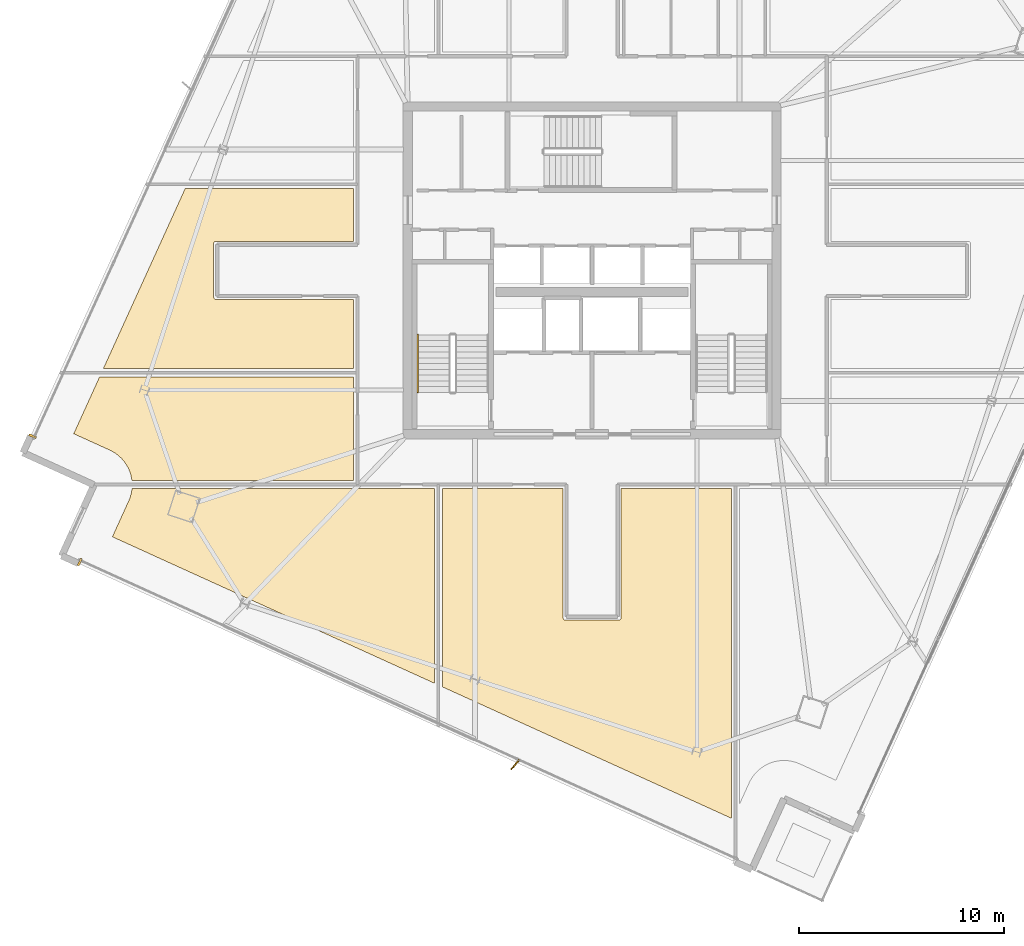
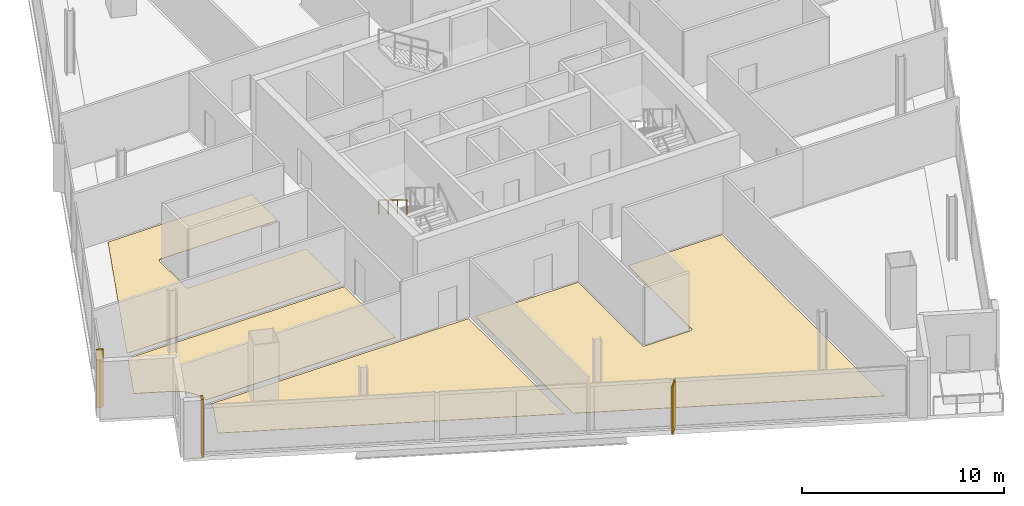
# One storey, part 22 of 26: 6 coverings, 1 railing, 1 shading device.
"""IFC4 building model written with IfcOpenShell, lengths in metres."""

from ifc_helpers import new_model, si_unit, direction, frame, origin, origin_2d, place, context, subcontext, project, spatial, polyline, rectangle, outline, extrude, source, transform, mapped, material, layer, layer_set, type_object, element, save


model = new_model("IFC4")

# Units and contexts
model_context = context("Model", 3, precision=1e-05, world=origin(), true_north=direction((0.0, 1.0)))
body_context = subcontext(model_context, "Body", "Model", "MODEL_VIEW")
ifc_project = project(units=[si_unit("LENGTHUNIT", "METRE"), si_unit("AREAUNIT", "SQUARE_METRE"), si_unit("VOLUMEUNIT", "CUBIC_METRE"), si_unit("PLANEANGLEUNIT", "RADIAN"), si_unit("MASSUNIT", "GRAM", prefix="KILO")], contexts=[model_context])

# Site, building, storey
site_placement = place(None, origin())
site = spatial("IfcSite", under=ifc_project, at=site_placement, CompositionType="ELEMENT")
building_placement = place(site_placement, origin())
building = spatial("IfcBuilding", under=site, at=building_placement, Name="Haldenkirk Collegiate Tower", CompositionType="ELEMENT")
storey_placement = place(building_placement, frame((0.0, 0.0, 248.699951171875)))
storey = spatial("IfcBuildingStorey", under=building, at=storey_placement, Name="L62", CompositionType="ELEMENT", Elevation=248.699951171875)

# Coverings
ifc_material_1 = material(Name="Polished collegiate terrazzo", Category="concrete")
ifc_layer_1 = layer(ifc_material_1, 0.02490234375)
ifc_layer_set_1 = layer_set([ifc_layer_1], Name="Polished collegiate terrazzo")
covering_type_1 = type_object("IfcCoveringType", Name="COV-FLOOR-TERRAZZO", PredefinedType="FLOORING", material=ifc_layer_set_1)
covering_1_placement = place(storey_placement, origin())
element("IfcCovering", 1, at=covering_1_placement, inside=storey, type_object=covering_type_1, Name="L62 academic room finish 02", PredefinedType="FLOORING", context=body_context, shape_type="SweptSolid", body=[
    extrude(outline(polyline([(28.699951171875, 5.668212890625), (28.699951171875, 15.35009765625), (34.580078125, 15.35009765625), (34.580078125, 9.050048828125), (34.58056640625, 9.0380859375), (34.582275390625, 9.026611328125), (34.585205078125, 9.01513671875), (34.589111328125, 9.004150390625), (34.59423828125, 8.993408203125), (34.60009765625, 8.9833984375), (34.607177734375, 8.973876953125), (34.614990234375, 8.965087890625), (34.623779296875, 8.957275390625), (34.63330078125, 8.9501953125), (34.643310546875, 8.944091796875), (34.654052734375, 8.939208984375), (34.665283203125, 8.935302734375), (34.676513671875, 8.932373046875), (34.688232421875, 8.9306640625), (34.699951171875, 8.929931640625), (37.300048828125, 8.929931640625), (37.311767578125, 8.9306640625), (37.323486328125, 8.932373046875), (37.334716796875, 8.935302734375), (37.345947265625, 8.939208984375), (37.356689453125, 8.944091796875), (37.36669921875, 8.9501953125), (37.376220703125, 8.957275390625), (37.385009765625, 8.965087890625), (37.392822265625, 8.973876953125), (37.39990234375, 8.9833984375), (37.40576171875, 8.993408203125), (37.410888671875, 9.004150390625), (37.414794921875, 9.01513671875), (37.417724609375, 9.026611328125), (37.41943359375, 9.0380859375), (37.419921875, 9.050048828125), (37.419921875, 15.35009765625), (42.800048828125, 15.35009765625), (42.800048828125, -0.74267578125), (28.699951171875, 5.668212890625)])), origin(), (0.0, 0.0, 1.0), 0.025146484375),
])
covering_2_placement = place(storey_placement, origin())
element("IfcCovering", 2, at=covering_2_placement, inside=storey, type_object=covering_type_1, Name="L62 academic room finish 06", PredefinedType="FLOORING", context=body_context, shape_type="SweptSolid", body=[
    extrude(outline(polyline([(13.530029296875, 15.821533203125), (13.528076171875, 15.8330078125), (13.4921875, 16.0009765625), (13.489013671875, 16.012451171875), (13.436767578125, 16.176025390625), (13.4326171875, 16.18701171875), (13.364501953125, 16.3447265625), (13.359375, 16.355224609375), (13.276123046875, 16.50537109375), (13.27001953125, 16.515380859375), (13.17236328125, 16.65673828125), (13.165283203125, 16.666015625), (13.05419921875, 16.797119140625), (13.046142578125, 16.805908203125), (12.923095703125, 16.92529296875), (12.9140625, 16.93310546875), (12.77978515625, 17.0400390625), (12.770263671875, 17.047119140625), (12.6259765625, 17.140380859375), (12.61572265625, 17.146240234375), (12.463134765625, 17.224853515625), (12.457763671875, 17.227294921875), (10.700927734375, 18.026123046875), (11.962158203125, 20.800048828125), (24.35009765625, 20.800048828125), (24.35009765625, 15.75), (13.5380859375, 15.75), (13.530029296875, 15.821533203125)])), origin(), (0.0, 0.0, 1.0), 0.025146484375),
])
ifc_material_2 = material(Name="Engineered collegiate oak acoustic flooring", Category="wood")
ifc_layer_2 = layer(ifc_material_2, 0.02197265625)
ifc_layer_set_2 = layer_set([ifc_layer_2], Name="Engineered collegiate oak acoustic flooring")
covering_type_2 = type_object("IfcCoveringType", Name="COV-FLOOR-TIMBER", PredefinedType="FLOORING", material=ifc_layer_set_2)
covering_3_placement = place(storey_placement, origin())
element("IfcCovering", 3, at=covering_3_placement, inside=storey, type_object=covering_type_2, Name="L62 academic room finish 01", PredefinedType="FLOORING", context=body_context, shape_type="SweptSolid", body=[
    extrude(outline(polyline([(12.58740234375, 12.994140625), (13.385986328125, 14.751220703125), (13.388427734375, 14.756591796875), (13.45166015625, 14.916259765625), (13.45556640625, 14.92724609375), (13.5029296875, 15.09228515625), (13.505615234375, 15.10400390625), (13.53662109375, 15.272705078125), (13.5380859375, 15.284423828125), (13.543701171875, 15.35009765625), (28.300048828125, 15.35009765625), (28.300048828125, 5.85009765625), (12.58740234375, 12.994140625)])), origin(), (0.0, 0.0, 1.0), 0.02197265625),
])
covering_4_placement = place(storey_placement, origin())
element("IfcCovering", 4, at=covering_4_placement, inside=storey, type_object=covering_type_2, Name="L62 academic room finish 07", PredefinedType="FLOORING", context=body_context, shape_type="SweptSolid", body=[
    extrude(outline(polyline([(16.14501953125, 30.0), (24.35009765625, 30.0), (24.35009765625, 27.419921875), (17.64990234375, 27.419921875), (17.63818359375, 27.41943359375), (17.626708984375, 27.417724609375), (17.615234375, 27.414794921875), (17.60400390625, 27.410888671875), (17.593505859375, 27.40576171875), (17.583251953125, 27.39990234375), (17.573974609375, 27.392822265625), (17.565185546875, 27.385009765625), (17.55712890625, 27.376220703125), (17.55029296875, 27.36669921875), (17.544189453125, 27.356689453125), (17.5390625, 27.345947265625), (17.53515625, 27.334716796875), (17.5322265625, 27.323486328125), (17.530517578125, 27.311767578125), (17.530029296875, 27.300048828125), (17.530029296875, 24.699951171875), (17.530517578125, 24.688232421875), (17.5322265625, 24.676513671875), (17.53515625, 24.665283203125), (17.5390625, 24.654052734375), (17.544189453125, 24.643310546875), (17.55029296875, 24.63330078125), (17.55712890625, 24.623779296875), (17.565185546875, 24.614990234375), (17.573974609375, 24.607177734375), (17.583251953125, 24.60009765625), (17.593505859375, 24.59423828125), (17.60400390625, 24.589111328125), (17.615234375, 24.585205078125), (17.626708984375, 24.582275390625), (17.63818359375, 24.58056640625), (17.64990234375, 24.580078125), (24.35009765625, 24.580078125), (24.35009765625, 21.199951171875), (12.143798828125, 21.199951171875), (16.14501953125, 30.0)])), origin(), (0.0, 0.0, 1.0), 0.02197265625),
])

# Railing
ifc_material_3 = material(Name="Painted architectural tubular steel", Category="steel")
railing_type = type_object("IfcRailingType", Name="RLG-STAIR-HANDRAIL-900", PredefinedType="HANDRAIL", material=ifc_material_3)
railing_placement = place(storey_placement, frame((27.5, 22.85009765625, 2.04541015625)))
element("IfcRailing", 5, at=railing_placement, inside=storey, type_object=railing_type, Name="L62 ST-1 stair handrail 2", PredefinedType="HANDRAIL", context=body_context, shape_type="SweptSolid", body=[
    extrude(rectangle(XDim=0.048095703125, YDim=0.048095703125, at=origin_2d()), frame((0.0, 0.0, 0.8759765625), z_axis=(0.0, -0.854169791009, 0.51999420009), x_axis=(1.0, 0.0, 0.0)), (0.0, 0.0, 1.0), 3.278076171875),
    extrude(rectangle(XDim=0.0419921875, YDim=0.0419921875, at=origin_2d()), origin(), (0.0, 0.0, 1.0), 0.851806640625),
    extrude(rectangle(XDim=0.0419921875, YDim=0.0419921875, at=origin_2d()), frame((0.0, -0.933349609375, 0.568115234375)), (0.0, 0.0, 1.0), 0.851806640625),
    extrude(rectangle(XDim=0.0419921875, YDim=0.0419921875, at=origin_2d()), frame((0.0, -1.86669921875, 1.136474609375)), (0.0, 0.0, 1.0), 0.851806640625),
    extrude(rectangle(XDim=0.0419921875, YDim=0.0419921875, at=origin_2d()), frame((0.0, -2.800048828125, 1.70458984375)), (0.0, 0.0, 1.0), 0.851806640625),
])

# Coverings
ifc_material_4 = material(Name="Anodised architectural bronze aluminium", Category="aluminium")
ifc_layer_3 = layer(ifc_material_4, 0.06005859375)
ifc_layer_set_3 = layer_set([ifc_layer_3], Name="Anodised architectural bronze aluminium")
covering_type_3 = type_object("IfcCoveringType", Name="COV-CLAD-BRONZE-60", PredefinedType="CLADDING", material=ifc_layer_set_3)
shared_shape_1 = source(origin(), body_context, "Body", "SweptSolid", [
    extrude(rectangle(XDim=0.10009765625, YDim=0.3798828125, at=origin_2d()), origin(), (0.0, 0.0, 1.0), 3.47998046875),
])
for number, where, z_axis, x_axis, name in (
    (6, (8.69140625, 17.9072265625, 0.0), (0.0, 0.0, 1.0), (0.413898993841, 0.910322812467, 0.0), "L62 recessed curtain-wall bronze jamb closure NJL"),
    (7, (10.994873046875, 11.7626953125, 0.0), (0.0, 0.0, 1.0), (-0.910322812467, 0.413898993841, 0.0), "L62 recessed curtain-wall bronze jamb closure WJR"),
):
    element("IfcCovering", number, at=place(storey_placement, frame(where, z_axis=z_axis, x_axis=x_axis)), inside=storey, type_object=covering_type_3, Name=name, PredefinedType="CLADDING", context=body_context, shape_type="MappedRepresentation", body=[
        mapped(shared_shape_1, transform((0.0, 0.0, 0.0), x_axis=(1.0, 0.0, 0.0), y_axis=(0.0, 1.0, 0.0), z_axis=(0.0, 0.0, 1.0), scale=1.0)),
    ])

# Shading device
ifc_layer_4 = layer(ifc_material_4, 0.06494140625)
ifc_layer_set_4 = layer_set([ifc_layer_4], Name="Anodised architectural bronze aluminium")
shading_device_type = type_object("IfcShadingDeviceType", Name="SHD-FIN-BRONZE-620", PredefinedType="USERDEFINED", material=ifc_layer_set_4)
shared_shape_2 = source(origin(), body_context, "Body", "SweptSolid", [
    extrude(rectangle(XDim=0.6201171875, YDim=0.06494140625, at=origin_2d()), origin(), (0.0, 0.0, 1.0), 2.93798828125),
])
shading_device_placement = place(storey_placement, frame((32.2451171875, 1.8759765625, 0.0), z_axis=(0.0, 0.0, 1.0), x_axis=(-0.648784221735, -0.760972426325, 0.0)))
element("IfcShadingDevice", 8, at=shading_device_placement, inside=storey, type_object=shading_device_type, Name="L62 folded bronze solar fin 1", ObjectType="FIN", PredefinedType="USERDEFINED", context=body_context, shape_type="MappedRepresentation", body=[
    mapped(shared_shape_2, transform((0.0, 0.0, 0.0), x_axis=(1.0, 0.0, 0.0), y_axis=(0.0, 1.0, 0.0), z_axis=(0.0, 0.0, 1.0), scale=1.0)),
])

save(model, "model.ifc")
